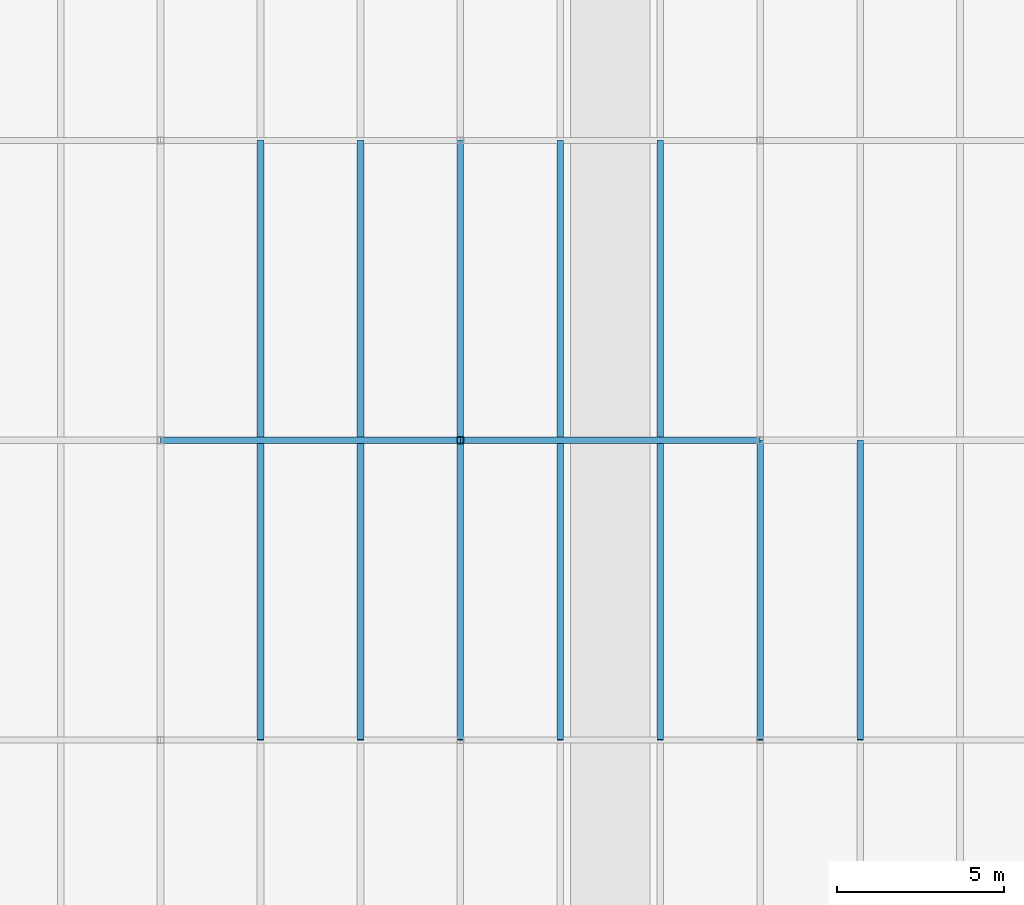
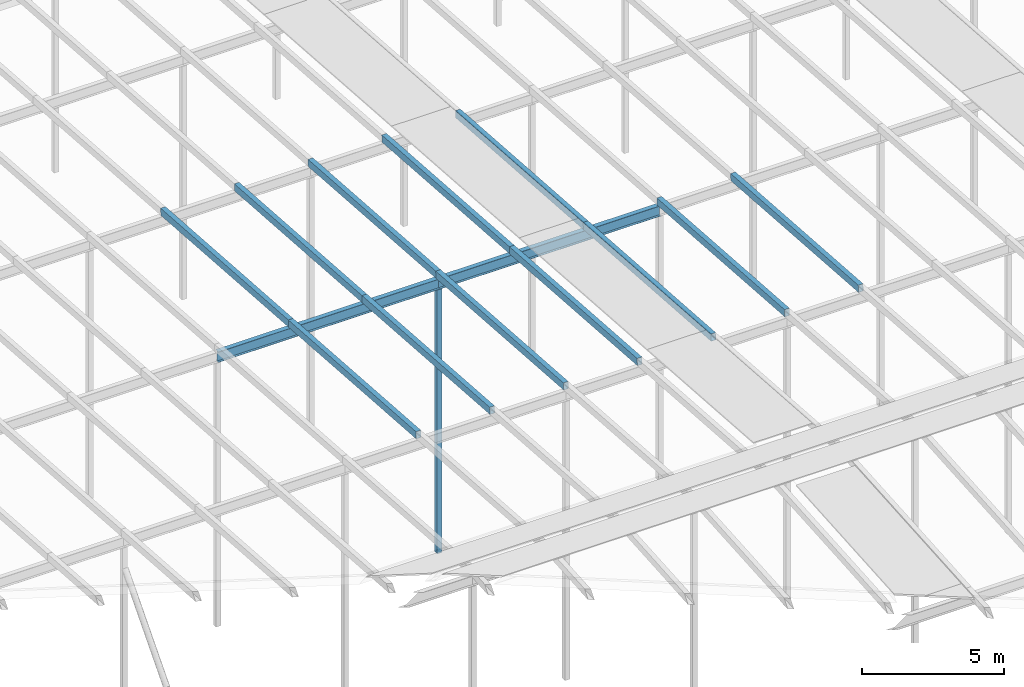
# One storey, part 31 of 84: 13 members, 2 beams.
"""IFC4 building model written with IfcOpenShell, lengths in metres."""

from ifc_helpers import new_model, si_unit, direction, frame, origin, origin_2d, place, context, subcontext, project, spatial, hollow_rectangle, i_section, extrude, material, material_profile, profile_set, type_object, element, save


model = new_model("IFC4")

# Units and contexts
model_context = context("Model", 3, precision=1e-05, world=origin(), true_north=direction((0.0, 1.0)))
body_context = subcontext(model_context, "Body", "Model", "MODEL_VIEW")
ifc_project = project(units=[si_unit("LENGTHUNIT", "METRE"), si_unit("AREAUNIT", "SQUARE_METRE"), si_unit("VOLUMEUNIT", "CUBIC_METRE"), si_unit("PLANEANGLEUNIT", "RADIAN"), si_unit("MASSUNIT", "GRAM", prefix="KILO")], contexts=[model_context])

# Site, building, storey
site_placement = place(None, origin())
site = spatial("IfcSite", under=ifc_project, at=site_placement, CompositionType="ELEMENT")
building_placement = place(site_placement, origin())
building = spatial("IfcBuilding", under=site, at=building_placement, Name="Silverbay Arena", CompositionType="ELEMENT")
storey_placement = place(building_placement, frame((0.0, 0.0, 47.10009765625)))
storey = spatial("IfcBuildingStorey", under=building, at=storey_placement, Name="ROOF", CompositionType="ELEMENT", Elevation=47.10009765625)

# Members
ifc_material_1 = material(Name="Steel S355", Category="steel")
ifc_material_profile_1 = material_profile(ifc_material_1, hollow_rectangle(XDim=0.199951171875, YDim=0.300048828125, WallThickness=0.00634765625, at=origin_2d()), Name="RHS 300x200x6.3")
ifc_profile_set_1 = profile_set([ifc_material_profile_1], Name="Steel S355")
member_type_1 = type_object("IfcMemberType", Name="Purlin RHS 300x200x6.3", PredefinedType="PURLIN", material=ifc_profile_set_1)
for number, where, z_axis, x_axis, name in (
    (1, (102.0, 90.0, 11.99951171875), (0.0, 0.997402911363, -0.072023832195), (-1.0, 0.0, 0.0), "ROOF PURLIN crown line 08 bay 08"),
    (2, (102.0, 99.0, 11.349609375), (0.0, 0.997400967367, -0.07205074805), (-1.0, 0.0, 0.0), "ROOF PURLIN crown line 08 bay 09"),
    (3, (105.0, 90.0, 11.99951171875), (0.0, 0.997402911363, -0.072023832195), (-1.0, 0.0, 0.0), "ROOF PURLIN crown line 09 bay 08"),
    (4, (105.0, 99.0, 11.349609375), (0.0, 0.997400967367, -0.07205074805), (-1.0, 0.0, 0.0), "ROOF PURLIN crown line 09 bay 09"),
    (5, (108.0, 90.0, 11.99951171875), (0.0, 0.997402911363, -0.072023832195), (-1.0, 0.0, 0.0), "ROOF PURLIN crown line 10 bay 08"),
    (6, (108.0, 99.0, 11.349609375), (0.0, 0.997400967367, -0.07205074805), (-1.0, 0.0, 0.0), "ROOF PURLIN crown line 10 bay 09"),
    (7, (111.0, 90.0, 11.99951171875), (0.0, 0.997402911363, -0.072023832195), (-1.0, 0.0, 0.0), "ROOF PURLIN crown line 11 bay 08"),
    (8, (111.0, 99.0, 11.349609375), (0.0, 0.997400967367, -0.07205074805), (-1.0, 0.0, 0.0), "ROOF PURLIN crown line 11 bay 09"),
    (9, (114.0, 90.0, 11.99951171875), (0.0, 0.997402911363, -0.072023832195), (-1.0, 0.0, 0.0), "ROOF PURLIN crown line 12 bay 08"),
    (10, (114.0, 99.0, 11.349609375), (0.0, 0.997400967367, -0.07205074805), (-1.0, 0.0, 0.0), "ROOF PURLIN crown line 12 bay 09"),
    (11, (117.0, 90.0, 11.99951171875), (0.0, 0.997402911363, -0.072023832195), (-1.0, 0.0, 0.0), "ROOF PURLIN crown line 13 bay 08"),
    (12, (120.0, 90.0, 11.99951171875), (0.0, 0.997402911363, -0.072023832195), (-1.0, 0.0, 0.0), "ROOF PURLIN crown line 14 bay 08"),
):
    element("IfcMember", number, at=place(storey_placement, frame(where, z_axis=z_axis, x_axis=x_axis)), inside=storey, type_object=member_type_1, Name=name, PredefinedType="PURLIN", context=body_context, shape_type="SweptSolid", body=[
        extrude(hollow_rectangle(XDim=0.199951171875, YDim=0.300048828125, WallThickness=0.00634765625, at=origin_2d()), origin(), (0.0, 0.0, 1.0), 9.0234375),
    ])

# Beams
ifc_material_2 = material(Name="Steel S355", Category="steel")
ifc_material_profile_2 = material_profile(ifc_material_2, i_section(OverallWidth=0.18994140625, OverallDepth=0.453369140625, WebThickness=0.008544921875, FlangeThickness=0.0126953125, at=origin_2d()), Name="UB 457x191x67")
ifc_profile_set_2 = profile_set([ifc_material_profile_2], Name="Steel S355")
beam_type = type_object("IfcBeamType", Name="Ring beam UB 457x191x67", PredefinedType="BEAM", material=ifc_profile_set_2)
for number, where, z_axis, x_axis, name in (
    (13, (99.0, 99.0, 10.972412109375), (1.0, 0.0, 0.0), (0.0, 1.0, 0.0), "RING BEAM crown row 09 12-13"),
    (14, (108.0, 99.0, 10.972412109375), (1.0, 0.0, 0.0), (0.0, 1.0, 0.0), "RING BEAM crown row 09 13-14"),
):
    element("IfcBeam", number, at=place(storey_placement, frame(where, z_axis=z_axis, x_axis=x_axis)), inside=storey, type_object=beam_type, Name=name, PredefinedType="BEAM", context=body_context, shape_type="SweptSolid", body=[
        extrude(i_section(OverallWidth=0.18994140625, OverallDepth=0.453369140625, WebThickness=0.008544921875, FlangeThickness=0.0126953125, at=origin_2d()), origin(), (0.0, 0.0, 1.0), 9.0),
    ])

# Member
ifc_material_3 = material(Name="Steel S355", Category="steel")
ifc_material_profile_3 = material_profile(ifc_material_3, hollow_rectangle(XDim=0.199951171875, YDim=0.199951171875, WallThickness=0.008056640625, at=origin_2d()), Name="SHS 200x200x8")
ifc_profile_set_3 = profile_set([ifc_material_profile_3], Name="Steel S355")
member_type_2 = type_object("IfcMemberType", Name="Roof post SHS 200x200x8", PredefinedType="POST", material=ifc_profile_set_3)
member_placement = place(storey_placement, frame((108.0, 99.0, -0.60009765625), z_axis=(0.0, 0.0, 1.0), x_axis=(1.0, 0.0, 0.0)))
element("IfcMember", 15, at=member_placement, inside=storey, type_object=member_type_2, Name="ROOF CROWN POST 13 row 09", PredefinedType="POST", context=body_context, shape_type="SweptSolid", body=[
    extrude(hollow_rectangle(XDim=0.199951171875, YDim=0.199951171875, WallThickness=0.008056640625, at=origin_2d()), origin(), (0.0, 0.0, 1.0), 11.345703125),
])

save(model, "model.ifc")
